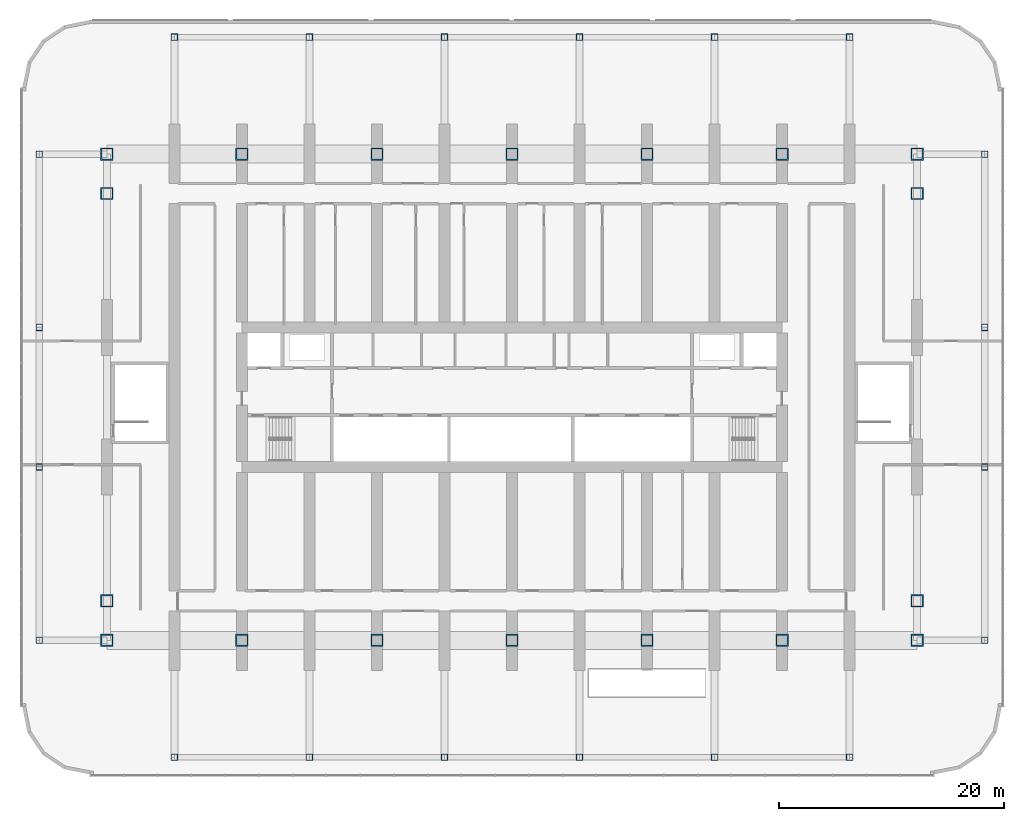
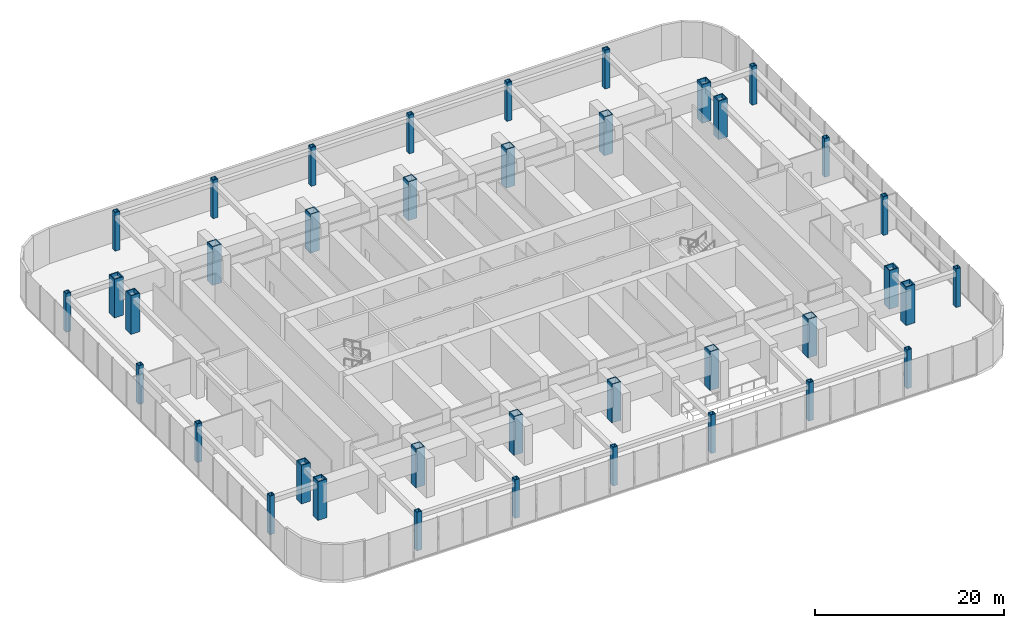
# One storey, part 1 of 26: 38 columns.
"""IFC4 building model written with IfcOpenShell, lengths in metres."""

import ifcopenshell
import ifcopenshell.guid

model = None  # the IFC model being written
_history = None  # IfcOwnerHistory: only IFC2X3 demands one
_inside = {}  # id of a spatial element -> (the spatial element, [elements in it])
_under = {}  # id of a project, library or spatial element -> (it, [spatial elements below it])
_declared = {}  # id of a project -> (the project, [libraries it declares])
_typed = {}  # id of a type object -> (the type object, [elements of that type])
_made_of = {}  # id of a material, layer set ... -> (it, [elements and type objects made of it])


def new_model(schema):
    """Start an empty IFC model of exactly this schema.

    Asked for "IFC4X3", IfcOpenShell would pick the latest addendum, in which some entities
    have other attributes; the version numbers below select the first issue.
    IFC2X3 requires an IfcOwnerHistory on every rooted entity: one is made here for all.
    """
    global model, _history
    if schema == "IFC4X3":
        model = ifcopenshell.file(schema_version=(4, 3, 0, 0))
    else:
        model = ifcopenshell.file(schema=schema)
    _inside.clear()
    _under.clear()
    _declared.clear()
    _typed.clear()
    _made_of.clear()
    _history = None
    if model.schema == "IFC2X3":
        org = make("IfcOrganization", Name="unknown")
        user = make(
            "IfcPersonAndOrganization",
            ThePerson=make("IfcPerson", FamilyName="unknown"),
            TheOrganization=org,
        )
        app = make(
            "IfcApplication",
            ApplicationDeveloper=org,
            Version="unknown",
            ApplicationFullName="unknown",
            ApplicationIdentifier="unknown",
        )
        _history = make(
            "IfcOwnerHistory",
            OwningUser=user,
            OwningApplication=app,
            ChangeAction="ADDED",
            CreationDate=0,
        )
    return model


def make(cls, **values):
    """One entity of the class cls with the attributes given. An attribute that is None is left unset."""
    return model.create_entity(
        cls, **{name: value for name, value in values.items() if value is not None}
    )


def rooted(cls, **values):
    """An entity with a GlobalId (a new one), such as an element, a storey or a relation."""
    return make(cls, GlobalId=ifcopenshell.guid.new(), OwnerHistory=_history, **values)


def si_unit(unit_type, name, prefix=None):
    """IfcSIUnit, for example si_unit("LENGTHUNIT", "METRE", prefix="MILLI")."""
    return make("IfcSIUnit", UnitType=unit_type, Prefix=prefix, Name=name)


def assignment(units):
    """IfcUnitAssignment: the units of a project."""
    return None if units is None else make("IfcUnitAssignment", Units=units)


def point(xyz):
    """IfcCartesianPoint."""
    return None if xyz is None else make("IfcCartesianPoint", Coordinates=xyz)


def direction(xyz):
    """IfcDirection."""
    return None if xyz is None else make("IfcDirection", DirectionRatios=xyz)


def frame(location, z_axis=None, x_axis=None):
    """IfcAxis2Placement3D, a coordinate frame: its origin and axes. An axis left out is left unset."""
    return make(
        "IfcAxis2Placement3D",
        Location=point(location),
        Axis=direction(z_axis),
        RefDirection=direction(x_axis),
    )


def frame_2d(location, x_axis=None):
    """IfcAxis2Placement2D, a coordinate frame in the plane: its origin and x axis."""
    return make(
        "IfcAxis2Placement2D", Location=point(location), RefDirection=direction(x_axis)
    )


def origin():
    """The frame at (0, 0, 0) with its axes left unset."""
    return frame((0.0, 0.0, 0.0))


def origin_2d():
    """The frame at (0, 0) in the plane with its x axis left unset."""
    return frame_2d((0.0, 0.0))


def place(relative_to, where):
    """IfcLocalPlacement: puts the frame where relative to a parent placement (None: the world)."""
    return make(
        "IfcLocalPlacement", PlacementRelTo=relative_to, RelativePlacement=where
    )


def context(
    kind, dimensions, precision=None, world=None, true_north=None, identifier=None
):
    """IfcGeometricRepresentationContext, for example the 3D "Model" context."""
    return make(
        "IfcGeometricRepresentationContext",
        ContextIdentifier=identifier,
        ContextType=kind,
        CoordinateSpaceDimension=dimensions,
        Precision=precision,
        WorldCoordinateSystem=world,
        TrueNorth=true_north,
    )


def subcontext(parent, identifier, kind, view, scale=None):
    """IfcGeometricRepresentationSubContext, for example "Body" below "Model"."""
    return make(
        "IfcGeometricRepresentationSubContext",
        ContextIdentifier=identifier,
        ContextType=kind,
        ParentContext=parent,
        TargetScale=scale,
        TargetView=view,
    )


def project(units=None, contexts=None):
    """IfcProject with its units and contexts."""
    return rooted(
        "IfcProject",
        Name="project",
        RepresentationContexts=contexts,
        UnitsInContext=assignment(units),
    )


def spatial(cls, under=None, at=None, **own):
    """A site, building, storey or space (cls), placed at a placement, below another one or the project."""
    s = rooted(cls, ObjectPlacement=at, **own)
    if under is not None:
        _under.setdefault(under.id(), (under, []))[1].append(s)
    return s


def profile(cls, at=None, kind="AREA", **sizes):
    """A parametric profile (cls). Its sizes go by their IFC names, for example OverallWidth=200.0."""
    return make(cls, ProfileType=kind, Position=at, **sizes)


def hollow_rectangle(**sizes):
    """IfcRectangleHollowProfileDef."""
    return profile("IfcRectangleHollowProfileDef", **sizes)


def extrude(swept, where, along, depth):
    """IfcExtrudedAreaSolid: the profile swept, set in the frame where, extruded along a direction by depth."""
    return make(
        "IfcExtrudedAreaSolid",
        SweptArea=swept,
        Position=where,
        ExtrudedDirection=direction(along),
        Depth=depth,
    )


def shape(context_of_items, identifier, shape_type, items):
    """IfcShapeRepresentation: the items that make up one representation, for example the "Body"."""
    return make(
        "IfcShapeRepresentation",
        ContextOfItems=context_of_items,
        RepresentationIdentifier=identifier,
        RepresentationType=shape_type,
        Items=items,
    )


def material(Name=None, Category=None):
    """IfcMaterial."""
    return make("IfcMaterial", Name=Name, Category=Category)


def material_profile(
    of_material, cross_section, Name=None, Category=None, Priority=None
):
    """IfcMaterialProfile: a cross section and its material."""
    return make(
        "IfcMaterialProfile",
        Name=Name,
        Material=of_material,
        Profile=cross_section,
        Priority=Priority,
        Category=Category,
    )


def profile_set(profiles, Name=None, composite=None):
    """IfcMaterialProfileSet."""
    return make(
        "IfcMaterialProfileSet",
        Name=Name,
        MaterialProfiles=profiles,
        CompositeProfile=composite,
    )


def made_of(thing, what):
    """Note that an element or type object is made of a material, layer set ...; save() writes the relation."""
    if what is not None:
        _made_of.setdefault(what.id(), (what, []))[1].append(thing)
    return thing


def type_object(cls, material=None, **own):
    """A type object (cls), such as IfcWallType, which elements share."""
    return made_of(rooted(cls, **own), material)


def element(
    cls,
    number,
    at=None,
    inside=None,
    cuts=None,
    type_object=None,
    material=None,
    context=None,
    identifier="Body",
    shape_type=None,
    held_by="IfcProductDefinitionShape",
    body=None,
    shapes=None,
    **own,
):
    """One element of the class cls, such as IfcWall. Its Tag is "e" and its number.

    at: its placement. inside: the storey or other place that contains it. cuts: it is an
    opening in that element (IfcRelVoidsElement). A single representation is given by context,
    identifier, shape_type and body (its items); several are given by shapes. held_by: the class
    of the entity that holds the representations. save() writes the other relations.
    """
    e = rooted(cls, Tag="e%d" % number, ObjectPlacement=at, **own)
    if body is not None:
        shapes = [shape(context, identifier, shape_type, body)]
    if shapes is not None:
        e.Representation = make(held_by, Representations=shapes)
    if inside is not None:
        _inside.setdefault(inside.id(), (inside, []))[1].append(e)
    if cuts is not None:
        rooted(
            "IfcRelVoidsElement", RelatingBuildingElement=cuts, RelatedOpeningElement=e
        )
    if type_object is not None:
        _typed.setdefault(type_object.id(), (type_object, []))[1].append(e)
    return made_of(e, material)


def aggregate(whole, parts):
    """IfcRelAggregates: a whole, such as a stair, and the parts it consists of."""
    return rooted("IfcRelAggregates", RelatingObject=whole, RelatedObjects=parts)


def save(model, path):
    """Write the relations noted so far, then the file.

    IfcRelAggregates (storeys below a building ...), IfcRelContainedInSpatialStructure (elements
    in a storey), IfcRelDefinesByType, IfcRelAssociatesMaterial and IfcRelDeclares: one each for
    every whole, place, type object, material and project.
    """
    for whole, parts in _under.values():
        aggregate(whole, parts)
    for where, things in _inside.values():
        rooted(
            "IfcRelContainedInSpatialStructure",
            RelatedElements=things,
            RelatingStructure=where,
        )
    for kind, things in _typed.values():
        rooted("IfcRelDefinesByType", RelatedObjects=things, RelatingType=kind)
    for what, things in _made_of.values():
        rooted("IfcRelAssociatesMaterial", RelatedObjects=things, RelatingMaterial=what)
    for by, libraries in _declared.values():
        rooted("IfcRelDeclares", RelatingContext=by, RelatedDefinitions=libraries)
    model.write(path)


model = new_model("IFC4")

# Units and contexts
model_context = context("Model", 3, precision=1e-05, world=origin(), true_north=direction((0.0, 1.0)))
body_context = subcontext(model_context, "Body", "Model", "MODEL_VIEW")
ifc_project = project(units=[si_unit("LENGTHUNIT", "METRE"), si_unit("AREAUNIT", "SQUARE_METRE"), si_unit("VOLUMEUNIT", "CUBIC_METRE"), si_unit("PLANEANGLEUNIT", "RADIAN"), si_unit("MASSUNIT", "GRAM", prefix="KILO")], contexts=[model_context])

# Site, building, storey
site_placement = place(None, origin())
site = spatial("IfcSite", under=ifc_project, at=site_placement, CompositionType="ELEMENT")
building_placement = place(site_placement, origin())
building = spatial("IfcBuilding", under=site, at=building_placement, Name="Orbita Commons", CompositionType="ELEMENT")
storey_placement = place(building_placement, frame((0.0, 0.0, 11.0)))
storey = spatial("IfcBuildingStorey", under=building, at=storey_placement, Name="L02", CompositionType="ELEMENT", Elevation=11.0)

# Columns
ifc_material_1 = material(Name="Steel ASTM A572 Gr 42 welded plate", Category="steel")
ifc_material_profile_1 = material_profile(ifc_material_1, hollow_rectangle(XDim=1.10009765625, YDim=1.10009765625, WallThickness=0.110107421875, at=origin_2d()), Name="BOX 1100x1100x110")
ifc_profile_set_1 = profile_set([ifc_material_profile_1], Name="Steel ASTM A572 Gr 42 welded plate")
column_type_1 = type_object("IfcColumnType", Name="Steel column BOX 1100x1100x110", PredefinedType="COLUMN", material=ifc_profile_set_1)
for number, where, z_axis, x_axis, name in (
    (1, (6.0, 10.39990234375, 0.0), (0.0, 0.0, 1.0), (1.0, 0.0, 0.0), "Column 2/B L02"),
    (2, (6.0, 53.60009765625, 0.0), (0.0, 0.0, 1.0), (1.0, 0.0, 0.0), "Column 2/E L02"),
    (3, (18.0, 10.39990234375, 0.0), (0.0, 0.0, 1.0), (1.0, 0.0, 0.0), "Column 4/B L02"),
    (4, (18.0, 53.60009765625, 0.0), (0.0, 0.0, 1.0), (1.0, 0.0, 0.0), "Column 4/E L02"),
    (5, (30.0, 10.39990234375, 0.0), (0.0, 0.0, 1.0), (1.0, 0.0, 0.0), "Column 6/B L02"),
    (6, (30.0, 53.60009765625, 0.0), (0.0, 0.0, 1.0), (1.0, 0.0, 0.0), "Column 6/E L02"),
    (7, (42.0, 10.39990234375, 0.0), (0.0, 0.0, 1.0), (1.0, 0.0, 0.0), "Column 8/B L02"),
    (8, (42.0, 53.60009765625, 0.0), (0.0, 0.0, 1.0), (1.0, 0.0, 0.0), "Column 8/E L02"),
    (9, (54.0, 10.39990234375, 0.0), (0.0, 0.0, 1.0), (1.0, 0.0, 0.0), "Column 10/B L02"),
    (10, (54.0, 53.60009765625, 0.0), (0.0, 0.0, 1.0), (1.0, 0.0, 0.0), "Column 10/E L02"),
    (11, (66.0, 10.39990234375, 0.0), (0.0, 0.0, 1.0), (1.0, 0.0, 0.0), "Column 12/B L02"),
    (12, (66.0, 53.60009765625, 0.0), (0.0, 0.0, 1.0), (1.0, 0.0, 0.0), "Column 12/E L02"),
    (13, (78.0, 10.39990234375, 0.0), (0.0, 0.0, 1.0), (1.0, 0.0, 0.0), "Column 14/B L02"),
    (14, (78.0, 53.60009765625, 0.0), (0.0, 0.0, 1.0), (1.0, 0.0, 0.0), "Column 14/E L02"),
    (15, (6.0, 13.89990234375, 0.0), (0.0, 0.0, 1.0), (1.0, 0.0, 0.0), "Column 2/13.9 L02"),
    (16, (6.0, 50.10009765625, 0.0), (0.0, 0.0, 1.0), (1.0, 0.0, 0.0), "Column 2/50.1 L02"),
    (17, (78.0, 13.89990234375, 0.0), (0.0, 0.0, 1.0), (1.0, 0.0, 0.0), "Column 14/13.9 L02"),
    (18, (78.0, 50.10009765625, 0.0), (0.0, 0.0, 1.0), (1.0, 0.0, 0.0), "Column 14/50.1 L02"),
):
    element("IfcColumn", number, at=place(storey_placement, frame(where, z_axis=z_axis, x_axis=x_axis)), inside=storey, type_object=column_type_1, Name=name, PredefinedType="COLUMN", context=body_context, shape_type="SweptSolid", body=[
        extrude(hollow_rectangle(XDim=1.10009765625, YDim=1.10009765625, WallThickness=0.110107421875, at=origin_2d()), origin(), (0.0, 0.0, 1.0), 5.0),
    ])
ifc_material_2 = material(Name="Steel ASTM A572 Gr 50 welded plate", Category="steel")
ifc_material_profile_2 = material_profile(ifc_material_2, hollow_rectangle(XDim=0.60009765625, YDim=0.60009765625, WallThickness=0.06005859375, at=origin_2d()), Name="BOX 600x600x60")
ifc_profile_set_2 = profile_set([ifc_material_profile_2], Name="Steel ASTM A572 Gr 50 welded plate")
column_type_2 = type_object("IfcColumnType", Name="Steel column BOX 600x600x60", PredefinedType="COLUMN", material=ifc_profile_set_2)
for number, where, z_axis, x_axis, name in (
    (19, (12.0, 0.0, 0.0), (0.0, 0.0, 1.0), (1.0, 0.0, 0.0), "Column 3/A L02"),
    (20, (12.0, 64.0, 0.0), (0.0, 0.0, 1.0), (1.0, 0.0, 0.0), "Column 3/F L02"),
    (21, (24.0, 0.0, 0.0), (0.0, 0.0, 1.0), (1.0, 0.0, 0.0), "Column 5/A L02"),
    (22, (24.0, 64.0, 0.0), (0.0, 0.0, 1.0), (1.0, 0.0, 0.0), "Column 5/F L02"),
    (23, (36.0, 0.0, 0.0), (0.0, 0.0, 1.0), (1.0, 0.0, 0.0), "Column 7/A L02"),
    (24, (36.0, 64.0, 0.0), (0.0, 0.0, 1.0), (1.0, 0.0, 0.0), "Column 7/F L02"),
    (25, (48.0, 0.0, 0.0), (0.0, 0.0, 1.0), (1.0, 0.0, 0.0), "Column 9/A L02"),
    (26, (48.0, 64.0, 0.0), (0.0, 0.0, 1.0), (1.0, 0.0, 0.0), "Column 9/F L02"),
    (27, (60.0, 0.0, 0.0), (0.0, 0.0, 1.0), (1.0, 0.0, 0.0), "Column 11/A L02"),
    (28, (60.0, 64.0, 0.0), (0.0, 0.0, 1.0), (1.0, 0.0, 0.0), "Column 11/F L02"),
    (29, (72.0, 0.0, 0.0), (0.0, 0.0, 1.0), (1.0, 0.0, 0.0), "Column 13/A L02"),
    (30, (72.0, 64.0, 0.0), (0.0, 0.0, 1.0), (1.0, 0.0, 0.0), "Column 13/F L02"),
    (31, (0.0, 10.39990234375, 0.0), (0.0, 0.0, 1.0), (1.0, 0.0, 0.0), "Column 1/B L02"),
    (32, (0.0, 25.800048828125, 0.0), (0.0, 0.0, 1.0), (1.0, 0.0, 0.0), "Column 1/C L02"),
    (33, (0.0, 38.199951171875, 0.0), (0.0, 0.0, 1.0), (1.0, 0.0, 0.0), "Column 1/D L02"),
    (34, (0.0, 53.60009765625, 0.0), (0.0, 0.0, 1.0), (1.0, 0.0, 0.0), "Column 1/E L02"),
    (35, (84.0, 10.39990234375, 0.0), (0.0, 0.0, 1.0), (1.0, 0.0, 0.0), "Column 15/B L02"),
    (36, (84.0, 25.800048828125, 0.0), (0.0, 0.0, 1.0), (1.0, 0.0, 0.0), "Column 15/C L02"),
    (37, (84.0, 38.199951171875, 0.0), (0.0, 0.0, 1.0), (1.0, 0.0, 0.0), "Column 15/D L02"),
    (38, (84.0, 53.60009765625, 0.0), (0.0, 0.0, 1.0), (1.0, 0.0, 0.0), "Column 15/E L02"),
):
    element("IfcColumn", number, at=place(storey_placement, frame(where, z_axis=z_axis, x_axis=x_axis)), inside=storey, type_object=column_type_2, Name=name, PredefinedType="COLUMN", context=body_context, shape_type="SweptSolid", body=[
        extrude(hollow_rectangle(XDim=0.60009765625, YDim=0.60009765625, WallThickness=0.06005859375, at=origin_2d()), origin(), (0.0, 0.0, 1.0), 5.0),
    ])

save(model, "model.ifc")
